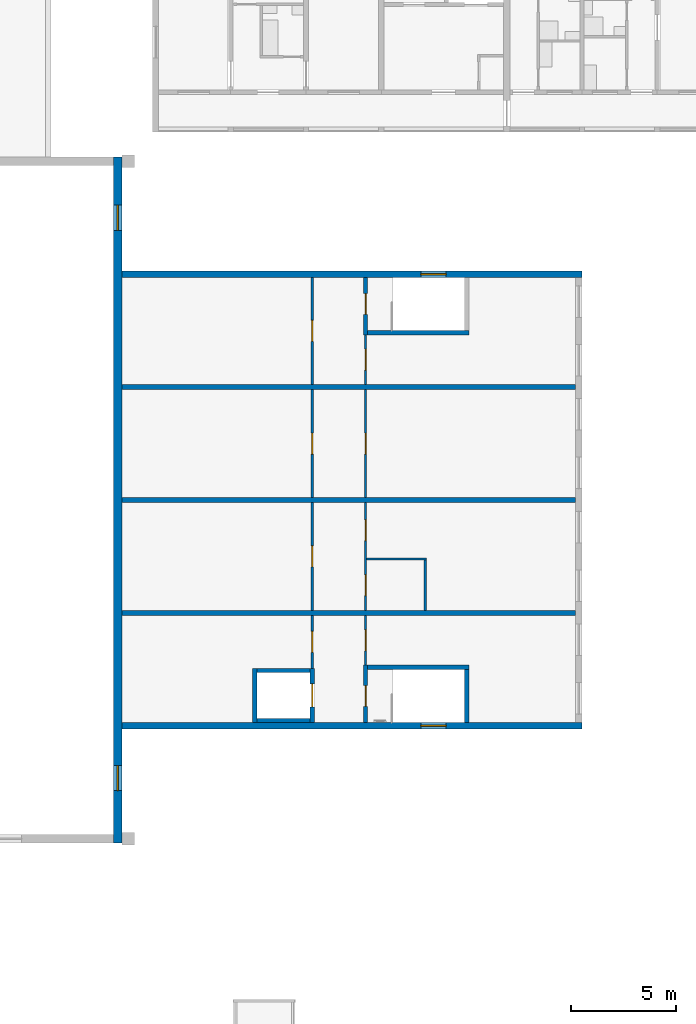
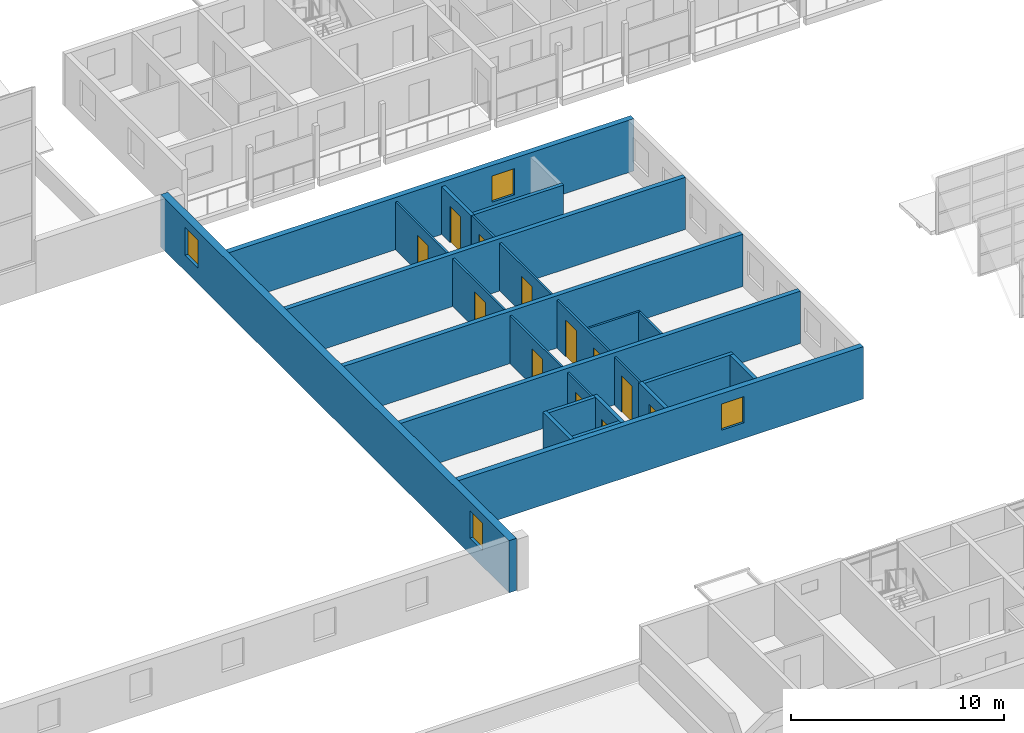
# One storey, part 70 of 122: 25 walls, 12 doors, 4 windows, 16 openings.
"""IFC4 building model written with IfcOpenShell, lengths in metres."""

from ifc_helpers import new_model, si_unit, direction, frame, frame_2d, origin, place, context, subcontext, project, spatial, rectangle, extrude, material, layer, layer_set, type_object, element, fill, save


model = new_model("IFC4")

# Units and contexts
model_context = context("Model", 3, precision=1e-05, world=origin(), true_north=direction((0.0, 1.0)))
body_context = subcontext(model_context, "Body", "Model", "MODEL_VIEW")
ifc_project = project(units=[si_unit("LENGTHUNIT", "METRE"), si_unit("AREAUNIT", "SQUARE_METRE"), si_unit("VOLUMEUNIT", "CUBIC_METRE"), si_unit("PLANEANGLEUNIT", "RADIAN"), si_unit("MASSUNIT", "GRAM", prefix="KILO")], contexts=[model_context])

# Site, building, storey
site_placement = place(None, origin())
site = spatial("IfcSite", under=ifc_project, at=site_placement, CompositionType="ELEMENT")
building_placement = place(site_placement, origin())
building = spatial("IfcBuilding", under=site, at=building_placement, Name="Ridgestep Commons", CompositionType="ELEMENT")
storey_placement = place(building_placement, frame((0.0, 0.0, 3.0)))
storey = spatial("IfcBuildingStorey", under=building, at=storey_placement, Name="L01", CompositionType="ELEMENT", Elevation=3.0)

# Walls
ifc_material_1 = material(Name="Precast concrete C40/50", Category="concrete")
ifc_layer_1 = layer(ifc_material_1, 0.25)
ifc_layer_set_1 = layer_set([ifc_layer_1], Name="Annex cross wall 250")
wall_type_1 = type_object("IfcWallType", Name="Annex cross wall 250", PredefinedType="SOLIDWALL", material=ifc_layer_set_1)
for number, where, z_axis, x_axis, name in (
    (1, (145.199951171875, 43.0, 0.0), (0.0, 0.0, 1.0), (1.0, 0.0, 0.0), "Annex cross wall 250"),
    (2, (145.199951171875, 48.39990234375, 0.0), (0.0, 0.0, 1.0), (1.0, 0.0, 0.0), "Annex cross wall 250"),
    (3, (145.199951171875, 53.800048828125, 0.0), (0.0, 0.0, 1.0), (1.0, 0.0, 0.0), "Annex cross wall 250"),
):
    element("IfcWall", number, at=place(storey_placement, frame(where, z_axis=z_axis, x_axis=x_axis)), inside=storey, type_object=wall_type_1, Name=name, PredefinedType="SOLIDWALL", context=body_context, shape_type="SweptSolid", body=[
        extrude(rectangle(XDim=21.699951171875, YDim=0.25, at=frame_2d((10.85009765625, 0.0))), origin(), (0.0, 0.0, 1.0), 3.0),
    ])

# Wall, opening, window
ifc_material_2 = material(Name="Precast concrete C40/50", Category="concrete")
ifc_layer_2 = layer(ifc_material_2, 0.300048828125)
ifc_layer_set_2 = layer_set([ifc_layer_2], Name="Annex wall 300")
wall_type_2 = type_object("IfcWallType", Name="Annex wall 300", PredefinedType="SOLIDWALL", material=ifc_layer_set_2)
wall_1_placement = place(storey_placement, frame((145.199951171875, 37.60009765625, 0.0), z_axis=(0.0, 0.0, 1.0), x_axis=(1.0, 0.0, 0.0)))
wall_1 = element("IfcWall", 4, at=wall_1_placement, inside=storey, type_object=wall_type_2, Name="Annex wall 300", PredefinedType="SOLIDWALL", context=body_context, shape_type="SweptSolid", body=[
    extrude(rectangle(XDim=22.0, YDim=0.300048828125, at=frame_2d((11.0, 0.0))), origin(), (0.0, 0.0, 1.0), 3.0),
])
opening_1_placement = place(wall_1_placement, frame((14.298095703125, 0.0, 0.89990234375)))
opening_1 = element("IfcOpeningElement", 5, at=opening_1_placement, cuts=wall_1, Name="Opening WK1", PredefinedType="OPENING", context=body_context, shape_type="SweptSolid", body=[
    extrude(rectangle(XDim=1.199951171875, YDim=1.5, at=frame_2d((0.60009765625, 0.75))), frame((0.0, 0.159912109375, 0.0), z_axis=(0.0, -1.0, 0.0), x_axis=(1.0, 0.0, 0.0)), (0.0, 0.0, 1.0), 0.320068359375),
])
ifc_material_3 = material(Name="Aluminium and glass", Category="aluminium")
window_type_1 = type_object("IfcWindowType", Name="Community window 1200 x 1500", PartitioningType="SINGLE_PANEL", PredefinedType="WINDOW", material=ifc_material_3)
window_1_placement = place(opening_1_placement, origin())
window_1 = element("IfcWindow", 6, at=window_1_placement, inside=storey, type_object=window_type_1, Name="Community window 1200 x 1500", OverallHeight=1.5, OverallWidth=1.199951171875, PartitioningType="SINGLE_PANEL", PredefinedType="WINDOW", context=body_context, shape_type="SweptSolid", body=[
    extrude(rectangle(XDim=1.199951171875, YDim=1.5, at=frame_2d((0.60009765625, 0.75))), frame((0.0, 0.030029296875, 0.0), z_axis=(0.0, -1.0, 0.0), x_axis=(1.0, 0.0, 0.0)), (0.0, 0.0, 1.0), 0.06005859375),
])
fill(opening_1, window_1)

wall_2_placement = place(storey_placement, frame((145.199951171875, 59.199951171875, 0.0), z_axis=(0.0, 0.0, 1.0), x_axis=(1.0, 0.0, 0.0)))
wall_2 = element("IfcWall", 7, at=wall_2_placement, inside=storey, type_object=wall_type_2, Name="Annex wall 300", PredefinedType="SOLIDWALL", context=body_context, shape_type="SweptSolid", body=[
    extrude(rectangle(XDim=22.0, YDim=0.300048828125, at=frame_2d((11.0, 0.0))), origin(), (0.0, 0.0, 1.0), 3.0),
])
opening_2_placement = place(wall_2_placement, frame((14.298095703125, 0.0, 0.89990234375)))
opening_2 = element("IfcOpeningElement", 8, at=opening_2_placement, cuts=wall_2, Name="Opening WK1", PredefinedType="OPENING", context=body_context, shape_type="SweptSolid", body=[
    extrude(rectangle(XDim=1.199951171875, YDim=1.5, at=frame_2d((0.60009765625, 0.75))), frame((0.0, 0.159912109375, 0.0), z_axis=(0.0, -1.0, 0.0), x_axis=(1.0, 0.0, 0.0)), (0.0, 0.0, 1.0), 0.320068359375),
])
window_2_placement = place(opening_2_placement, origin())
window_2 = element("IfcWindow", 9, at=window_2_placement, inside=storey, type_object=window_type_1, Name="Community window 1200 x 1500", OverallHeight=1.5, OverallWidth=1.199951171875, PartitioningType="SINGLE_PANEL", PredefinedType="WINDOW", context=body_context, shape_type="SweptSolid", body=[
    extrude(rectangle(XDim=1.199951171875, YDim=1.5, at=frame_2d((0.60009765625, 0.75))), frame((0.0, 0.030029296875, 0.0), z_axis=(0.0, -1.0, 0.0), x_axis=(1.0, 0.0, 0.0)), (0.0, 0.0, 1.0), 0.06005859375),
])
fill(opening_2, window_2)

# Wall, opening, door
ifc_material_4 = material(Name="Common brick 110 mm", Category="masonry")
ifc_layer_3 = layer(ifc_material_4, 0.110107421875)
ifc_layer_set_3 = layer_set([ifc_layer_3], Name="Community partition 110")
wall_type_3 = type_object("IfcWallType", Name="Community partition 110", PredefinedType="PARTITIONING", material=ifc_layer_set_3)
wall_3_placement = place(storey_placement, frame((154.300048828125, 40.35009765625, 0.0), z_axis=(0.0, 0.0, 1.0), x_axis=(0.0, 1.0, 0.0)))
wall_3 = element("IfcWall", 10, at=wall_3_placement, inside=storey, type_object=wall_type_3, Name="Community partition 110", PredefinedType="PARTITIONING", context=body_context, shape_type="SweptSolid", body=[
    extrude(rectangle(XDim=2.52490234375, YDim=0.110107421875, at=frame_2d((1.262451171875, 0.0))), origin(), (0.0, 0.0, 1.0), 2.75),
])
opening_3_placement = place(wall_3_placement, frame((0.762451171875, 0.0, 0.0)))
opening_3 = element("IfcOpeningElement", 11, at=opening_3_placement, cuts=wall_3, Name="Opening C085", PredefinedType="OPENING", context=body_context, shape_type="SweptSolid", body=[
    extrude(rectangle(XDim=1.0, YDim=2.10009765625, at=frame_2d((0.5, 1.050048828125))), frame((0.0, 0.06494140625, 0.0), z_axis=(0.0, -1.0, 0.0), x_axis=(1.0, 0.0, 0.0)), (0.0, 0.0, 1.0), 0.130126953125),
])
ifc_material_5 = material(Name="Timber and steel", Category="steel")
door_type_1 = type_object("IfcDoorType", Name="Community fire door 1000 x 2100", OperationType="SINGLE_SWING_LEFT", PredefinedType="DOOR", material=ifc_material_5)
door_1_placement = place(opening_3_placement, origin())
door_1 = element("IfcDoor", 12, at=door_1_placement, inside=storey, type_object=door_type_1, Name="Community fire door 1000 x 2100", OperationType="SINGLE_SWING_LEFT", OverallHeight=2.10009765625, OverallWidth=1.0, PredefinedType="DOOR", context=body_context, shape_type="SweptSolid", body=[
    extrude(rectangle(XDim=1.0, YDim=2.10009765625, at=frame_2d((0.5, 1.050048828125))), frame((0.0, 0.02490234375, 0.0), z_axis=(0.0, -1.0, 0.0), x_axis=(1.0, 0.0, 0.0)), (0.0, 0.0, 1.0), 0.050048828125),
])
fill(opening_3, door_1)

wall_4_placement = place(storey_placement, frame((154.300048828125, 43.125, 0.0), z_axis=(0.0, 0.0, 1.0), x_axis=(0.0, 1.0, 0.0)))
wall_4 = element("IfcWall", 13, at=wall_4_placement, inside=storey, type_object=wall_type_3, Name="Community partition 110", PredefinedType="PARTITIONING", context=body_context, shape_type="SweptSolid", body=[
    extrude(rectangle(XDim=5.14990234375, YDim=0.110107421875, at=frame_2d((2.574951171875, 0.0))), origin(), (0.0, 0.0, 1.0), 2.75),
])
opening_4_placement = place(wall_4_placement, frame((2.074951171875, 0.0, 0.0)))
opening_4 = element("IfcOpeningElement", 14, at=opening_4_placement, cuts=wall_4, Name="Opening C086", PredefinedType="OPENING", context=body_context, shape_type="SweptSolid", body=[
    extrude(rectangle(XDim=1.0, YDim=2.10009765625, at=frame_2d((0.5, 1.050048828125))), frame((0.0, 0.06494140625, 0.0), z_axis=(0.0, -1.0, 0.0), x_axis=(1.0, 0.0, 0.0)), (0.0, 0.0, 1.0), 0.130126953125),
])
door_2_placement = place(opening_4_placement, origin())
door_2 = element("IfcDoor", 15, at=door_2_placement, inside=storey, type_object=door_type_1, Name="Community fire door 1000 x 2100", OperationType="SINGLE_SWING_LEFT", OverallHeight=2.10009765625, OverallWidth=1.0, PredefinedType="DOOR", context=body_context, shape_type="SweptSolid", body=[
    extrude(rectangle(XDim=1.0, YDim=2.10009765625, at=frame_2d((0.5, 1.050048828125))), frame((0.0, 0.02490234375, 0.0), z_axis=(0.0, -1.0, 0.0), x_axis=(1.0, 0.0, 0.0)), (0.0, 0.0, 1.0), 0.050048828125),
])
fill(opening_4, door_2)

wall_5_placement = place(storey_placement, frame((154.300048828125, 48.52490234375, 0.0), z_axis=(0.0, 0.0, 1.0), x_axis=(0.0, 1.0, 0.0)))
wall_5 = element("IfcWall", 16, at=wall_5_placement, inside=storey, type_object=wall_type_3, Name="Community partition 110", PredefinedType="PARTITIONING", context=body_context, shape_type="SweptSolid", body=[
    extrude(rectangle(XDim=5.150146484375, YDim=0.110107421875, at=frame_2d((2.5751953125, 0.0))), origin(), (0.0, 0.0, 1.0), 2.75),
])
opening_5_placement = place(wall_5_placement, frame((2.074951171875, 0.0, 0.0)))
opening_5 = element("IfcOpeningElement", 17, at=opening_5_placement, cuts=wall_5, Name="Opening C087", PredefinedType="OPENING", context=body_context, shape_type="SweptSolid", body=[
    extrude(rectangle(XDim=1.0, YDim=2.10009765625, at=frame_2d((0.5, 1.050048828125))), frame((0.0, 0.06494140625, 0.0), z_axis=(0.0, -1.0, 0.0), x_axis=(1.0, 0.0, 0.0)), (0.0, 0.0, 1.0), 0.130126953125),
])
door_3_placement = place(opening_5_placement, origin())
door_3 = element("IfcDoor", 18, at=door_3_placement, inside=storey, type_object=door_type_1, Name="Community fire door 1000 x 2100", OperationType="SINGLE_SWING_LEFT", OverallHeight=2.10009765625, OverallWidth=1.0, PredefinedType="DOOR", context=body_context, shape_type="SweptSolid", body=[
    extrude(rectangle(XDim=1.0, YDim=2.10009765625, at=frame_2d((0.5, 1.050048828125))), frame((0.0, 0.02490234375, 0.0), z_axis=(0.0, -1.0, 0.0), x_axis=(1.0, 0.0, 0.0)), (0.0, 0.0, 1.0), 0.050048828125),
])
fill(opening_5, door_3)

wall_6_placement = place(storey_placement, frame((154.300048828125, 53.925048828125, 0.0), z_axis=(0.0, 0.0, 1.0), x_axis=(0.0, 1.0, 0.0)))
wall_6 = element("IfcWall", 19, at=wall_6_placement, inside=storey, type_object=wall_type_3, Name="Community partition 110", PredefinedType="PARTITIONING", context=body_context, shape_type="SweptSolid", body=[
    extrude(rectangle(XDim=5.125, YDim=0.110107421875, at=frame_2d((2.5625, 0.0))), origin(), (0.0, 0.0, 1.0), 2.75),
])
opening_6_placement = place(wall_6_placement, frame((2.0625, 0.0, 0.0)))
opening_6 = element("IfcOpeningElement", 20, at=opening_6_placement, cuts=wall_6, Name="Opening C088", PredefinedType="OPENING", context=body_context, shape_type="SweptSolid", body=[
    extrude(rectangle(XDim=1.0, YDim=2.10009765625, at=frame_2d((0.5, 1.050048828125))), frame((0.0, 0.06494140625, 0.0), z_axis=(0.0, -1.0, 0.0), x_axis=(1.0, 0.0, 0.0)), (0.0, 0.0, 1.0), 0.130126953125),
])
door_4_placement = place(opening_6_placement, origin())
door_4 = element("IfcDoor", 21, at=door_4_placement, inside=storey, type_object=door_type_1, Name="Community fire door 1000 x 2100", OperationType="SINGLE_SWING_RIGHT", OverallHeight=2.10009765625, OverallWidth=1.0, PredefinedType="DOOR", context=body_context, shape_type="SweptSolid", body=[
    extrude(rectangle(XDim=1.0, YDim=2.10009765625, at=frame_2d((0.5, 1.050048828125))), frame((0.0, 0.02490234375, 0.0), z_axis=(0.0, -1.0, 0.0), x_axis=(1.0, 0.0, 0.0)), (0.0, 0.0, 1.0), 0.050048828125),
])
fill(opening_6, door_4)

wall_7_placement = place(storey_placement, frame((156.85009765625, 40.5, 0.0), z_axis=(0.0, 0.0, 1.0), x_axis=(0.0, 1.0, 0.0)))
wall_7 = element("IfcWall", 22, at=wall_7_placement, inside=storey, type_object=wall_type_3, Name="Community partition 110", PredefinedType="PARTITIONING", context=body_context, shape_type="SweptSolid", body=[
    extrude(rectangle(XDim=2.375, YDim=0.110107421875, at=frame_2d((1.1875, 0.0))), origin(), (0.0, 0.0, 1.0), 2.75),
])
opening_7_placement = place(wall_7_placement, frame((0.6875, 0.0, 0.0)))
opening_7 = element("IfcOpeningElement", 23, at=opening_7_placement, cuts=wall_7, Name="Opening C089", PredefinedType="OPENING", context=body_context, shape_type="SweptSolid", body=[
    extrude(rectangle(XDim=1.0, YDim=2.10009765625, at=frame_2d((0.5, 1.050048828125))), frame((0.0, 0.06494140625, 0.0), z_axis=(0.0, -1.0, 0.0), x_axis=(1.0, 0.0, 0.0)), (0.0, 0.0, 1.0), 0.130126953125),
])
door_5_placement = place(opening_7_placement, origin())
door_5 = element("IfcDoor", 24, at=door_5_placement, inside=storey, type_object=door_type_1, Name="Community fire door 1000 x 2100", OperationType="SINGLE_SWING_RIGHT", OverallHeight=2.10009765625, OverallWidth=1.0, PredefinedType="DOOR", context=body_context, shape_type="SweptSolid", body=[
    extrude(rectangle(XDim=1.0, YDim=2.10009765625, at=frame_2d((0.5, 1.050048828125))), frame((0.0, 0.02490234375, 0.0), z_axis=(0.0, -1.0, 0.0), x_axis=(1.0, 0.0, 0.0)), (0.0, 0.0, 1.0), 0.050048828125),
])
fill(opening_7, door_5)

# Wall, openings, doors
wall_8_placement = place(storey_placement, frame((156.85009765625, 43.125, 0.0), z_axis=(0.0, 0.0, 1.0), x_axis=(0.0, 1.0, 0.0)))
wall_8 = element("IfcWall", 25, at=wall_8_placement, inside=storey, type_object=wall_type_3, Name="Community partition 110", PredefinedType="PARTITIONING", context=body_context, shape_type="SweptSolid", body=[
    extrude(rectangle(XDim=5.14990234375, YDim=0.110107421875, at=frame_2d((2.574951171875, 0.0))), origin(), (0.0, 0.0, 1.0), 2.75),
])
opening_8_placement = place(wall_8_placement, frame((0.697509765625, 0.0, 0.0)))
opening_8 = element("IfcOpeningElement", 26, at=opening_8_placement, cuts=wall_8, Name="Opening C090", PredefinedType="OPENING", context=body_context, shape_type="SweptSolid", body=[
    extrude(rectangle(XDim=1.0, YDim=2.10009765625, at=frame_2d((0.5, 1.050048828125))), frame((0.0, 0.06494140625, 0.0), z_axis=(0.0, -1.0, 0.0), x_axis=(1.0, 0.0, 0.0)), (0.0, 0.0, 1.0), 0.130126953125),
])
opening_9_placement = place(wall_8_placement, frame((3.327392578125, 0.0, 0.0)))
opening_9 = element("IfcOpeningElement", 27, at=opening_9_placement, cuts=wall_8, Name="Opening C091", PredefinedType="OPENING", context=body_context, shape_type="SweptSolid", body=[
    extrude(rectangle(XDim=1.0, YDim=2.10009765625, at=frame_2d((0.5, 1.050048828125))), frame((0.0, 0.06494140625, 0.0), z_axis=(0.0, -1.0, 0.0), x_axis=(1.0, 0.0, 0.0)), (0.0, 0.0, 1.0), 0.130126953125),
])
door_6_placement = place(opening_8_placement, origin())
door_6 = element("IfcDoor", 28, at=door_6_placement, inside=storey, type_object=door_type_1, Name="Community fire door 1000 x 2100", OperationType="SINGLE_SWING_LEFT", OverallHeight=2.10009765625, OverallWidth=1.0, PredefinedType="DOOR", context=body_context, shape_type="SweptSolid", body=[
    extrude(rectangle(XDim=1.0, YDim=2.10009765625, at=frame_2d((0.5, 1.050048828125))), frame((0.0, 0.02490234375, 0.0), z_axis=(0.0, -1.0, 0.0), x_axis=(1.0, 0.0, 0.0)), (0.0, 0.0, 1.0), 0.050048828125),
])
fill(opening_8, door_6)
door_7_placement = place(opening_9_placement, origin())
door_7 = element("IfcDoor", 29, at=door_7_placement, inside=storey, type_object=door_type_1, Name="Community fire door 1000 x 2100", OperationType="SINGLE_SWING_RIGHT", OverallHeight=2.10009765625, OverallWidth=1.0, PredefinedType="DOOR", context=body_context, shape_type="SweptSolid", body=[
    extrude(rectangle(XDim=1.0, YDim=2.10009765625, at=frame_2d((0.5, 1.050048828125))), frame((0.0, 0.02490234375, 0.0), z_axis=(0.0, -1.0, 0.0), x_axis=(1.0, 0.0, 0.0)), (0.0, 0.0, 1.0), 0.050048828125),
])
fill(opening_9, door_7)

# Wall, opening, door
wall_9_placement = place(storey_placement, frame((156.85009765625, 48.52490234375, 0.0), z_axis=(0.0, 0.0, 1.0), x_axis=(0.0, 1.0, 0.0)))
wall_9 = element("IfcWall", 30, at=wall_9_placement, inside=storey, type_object=wall_type_3, Name="Community partition 110", PredefinedType="PARTITIONING", context=body_context, shape_type="SweptSolid", body=[
    extrude(rectangle(XDim=5.150146484375, YDim=0.110107421875, at=frame_2d((2.5751953125, 0.0))), origin(), (0.0, 0.0, 1.0), 2.75),
])
opening_10_placement = place(wall_9_placement, frame((2.074951171875, 0.0, 0.0)))
opening_10 = element("IfcOpeningElement", 31, at=opening_10_placement, cuts=wall_9, Name="Opening C092", PredefinedType="OPENING", context=body_context, shape_type="SweptSolid", body=[
    extrude(rectangle(XDim=1.0, YDim=2.10009765625, at=frame_2d((0.5, 1.050048828125))), frame((0.0, 0.06494140625, 0.0), z_axis=(0.0, -1.0, 0.0), x_axis=(1.0, 0.0, 0.0)), (0.0, 0.0, 1.0), 0.130126953125),
])
door_8_placement = place(opening_10_placement, origin())
door_8 = element("IfcDoor", 32, at=door_8_placement, inside=storey, type_object=door_type_1, Name="Community fire door 1000 x 2100", OperationType="SINGLE_SWING_LEFT", OverallHeight=2.10009765625, OverallWidth=1.0, PredefinedType="DOOR", context=body_context, shape_type="SweptSolid", body=[
    extrude(rectangle(XDim=1.0, YDim=2.10009765625, at=frame_2d((0.5, 1.050048828125))), frame((0.0, 0.02490234375, 0.0), z_axis=(0.0, -1.0, 0.0), x_axis=(1.0, 0.0, 0.0)), (0.0, 0.0, 1.0), 0.050048828125),
])
fill(opening_10, door_8)

wall_10_placement = place(storey_placement, frame((156.85009765625, 53.925048828125, 0.0), z_axis=(0.0, 0.0, 1.0), x_axis=(0.0, 1.0, 0.0)))
wall_10 = element("IfcWall", 33, at=wall_10_placement, inside=storey, type_object=wall_type_3, Name="Community partition 110", PredefinedType="PARTITIONING", context=body_context, shape_type="SweptSolid", body=[
    extrude(rectangle(XDim=2.375, YDim=0.110107421875, at=frame_2d((1.1875, 0.0))), origin(), (0.0, 0.0, 1.0), 2.75),
])
opening_11_placement = place(wall_10_placement, frame((0.6875, 0.0, 0.0)))
opening_11 = element("IfcOpeningElement", 34, at=opening_11_placement, cuts=wall_10, Name="Opening C093", PredefinedType="OPENING", context=body_context, shape_type="SweptSolid", body=[
    extrude(rectangle(XDim=1.0, YDim=2.10009765625, at=frame_2d((0.5, 1.050048828125))), frame((0.0, 0.06494140625, 0.0), z_axis=(0.0, -1.0, 0.0), x_axis=(1.0, 0.0, 0.0)), (0.0, 0.0, 1.0), 0.130126953125),
])
door_9_placement = place(opening_11_placement, origin())
door_9 = element("IfcDoor", 35, at=door_9_placement, inside=storey, type_object=door_type_1, Name="Community fire door 1000 x 2100", OperationType="SINGLE_SWING_RIGHT", OverallHeight=2.10009765625, OverallWidth=1.0, PredefinedType="DOOR", context=body_context, shape_type="SweptSolid", body=[
    extrude(rectangle(XDim=1.0, YDim=2.10009765625, at=frame_2d((0.5, 1.050048828125))), frame((0.0, 0.02490234375, 0.0), z_axis=(0.0, -1.0, 0.0), x_axis=(1.0, 0.0, 0.0)), (0.0, 0.0, 1.0), 0.050048828125),
])
fill(opening_11, door_9)

# Walls
wall_11_placement = place(storey_placement, frame((156.905029296875, 45.574951171875, 0.0), z_axis=(0.0, 0.0, 1.0), x_axis=(1.0, 0.0, 0.0)))
element("IfcWall", 36, at=wall_11_placement, inside=storey, type_object=wall_type_3, Name="Community partition 110", PredefinedType="PARTITIONING", context=body_context, shape_type="SweptSolid", body=[
    extrude(rectangle(XDim=2.849853515625, YDim=0.110107421875, at=frame_2d((1.4248046875, 0.0))), origin(), (0.0, 0.0, 1.0), 2.75),
])
wall_12_placement = place(storey_placement, frame((159.699951171875, 43.125, 0.0), z_axis=(0.0, 0.0, 1.0), x_axis=(0.0, 1.0, 0.0)))
element("IfcWall", 37, at=wall_12_placement, inside=storey, type_object=wall_type_3, Name="Community partition 110", PredefinedType="PARTITIONING", context=body_context, shape_type="SweptSolid", body=[
    extrude(rectangle(XDim=2.39501953125, YDim=0.110107421875, at=frame_2d((1.197509765625, 0.0))), origin(), (0.0, 0.0, 1.0), 2.75),
])
ifc_material_6 = material(Name="Concrete C30/37", Category="concrete")
ifc_layer_4 = layer(ifc_material_6, 0.199951171875)
ifc_layer_set_4 = layer_set([ifc_layer_4], Name="Community shaft wall 200")
wall_type_4 = type_object("IfcWallType", Name="Community shaft wall 200", PredefinedType="SOLIDWALL", material=ifc_layer_set_4)
for number, where, z_axis, x_axis, name in (
    (38, (151.64990234375, 40.25, 0.0), (0.0, 0.0, 1.0), (1.0, 0.0, 0.0), "Community shaft wall 200"),
    (39, (151.64990234375, 37.85009765625, 0.0), (0.0, 0.0, 1.0), (1.0, 0.0, 0.0), "Community shaft wall 200"),
):
    element("IfcWall", number, at=place(storey_placement, frame(where, z_axis=z_axis, x_axis=x_axis)), inside=storey, type_object=wall_type_4, Name=name, PredefinedType="SOLIDWALL", context=body_context, shape_type="SweptSolid", body=[
        extrude(rectangle(XDim=2.550048828125, YDim=0.199951171875, at=frame_2d((1.27490234375, 0.0))), origin(), (0.0, 0.0, 1.0), 3.0),
    ])
wall_13_placement = place(storey_placement, frame((151.550048828125, 37.75, 0.0), z_axis=(0.0, 0.0, 1.0), x_axis=(0.0, 1.0, 0.0)))
element("IfcWall", 40, at=wall_13_placement, inside=storey, type_object=wall_type_4, Name="Community shaft wall 200", PredefinedType="SOLIDWALL", context=body_context, shape_type="SweptSolid", body=[
    extrude(rectangle(XDim=2.60009765625, YDim=0.199951171875, at=frame_2d((1.300048828125, 0.0))), origin(), (0.0, 0.0, 1.0), 3.0),
])

# Wall, opening, door
wall_14_placement = place(storey_placement, frame((154.300048828125, 37.75, 0.0), z_axis=(0.0, 0.0, 1.0), x_axis=(0.0, 1.0, 0.0)))
wall_14 = element("IfcWall", 41, at=wall_14_placement, inside=storey, type_object=wall_type_4, Name="Community shaft wall 200", PredefinedType="SOLIDWALL", context=body_context, shape_type="SweptSolid", body=[
    extrude(rectangle(XDim=2.60009765625, YDim=0.199951171875, at=frame_2d((1.300048828125, 0.0))), origin(), (0.0, 0.0, 1.0), 3.0),
])
opening_12_placement = place(wall_14_placement, frame((0.75, 0.0, 0.0)))
opening_12 = element("IfcOpeningElement", 42, at=opening_12_placement, cuts=wall_14, Name="Opening LC2/01/1", PredefinedType="OPENING", context=body_context, shape_type="SweptSolid", body=[
    extrude(rectangle(XDim=1.10009765625, YDim=2.10009765625, at=frame_2d((0.550048828125, 1.050048828125))), frame((0.0, 0.10986328125, 0.0), z_axis=(0.0, -1.0, 0.0), x_axis=(1.0, 0.0, 0.0)), (0.0, 0.0, 1.0), 0.219970703125),
])
ifc_material_7 = material(Name="Stainless steel", Category="steel")
door_type_2 = type_object("IfcDoorType", Name="Lift landing door 1100 x 2100 FD60", OperationType="DOUBLE_DOOR_SLIDING", PredefinedType="DOOR", material=ifc_material_7)
door_10_placement = place(opening_12_placement, origin())
door_10 = element("IfcDoor", 43, at=door_10_placement, inside=storey, type_object=door_type_2, Name="Lift landing door", OperationType="SLIDING_TO_LEFT", OverallHeight=2.10009765625, OverallWidth=1.10009765625, PredefinedType="DOOR", context=body_context, shape_type="SweptSolid", body=[
    extrude(rectangle(XDim=1.10009765625, YDim=2.10009765625, at=frame_2d((0.550048828125, 1.050048828125))), frame((0.0, 0.02490234375, 0.0), z_axis=(0.0, -1.0, 0.0), x_axis=(1.0, 0.0, 0.0)), (0.0, 0.0, 1.0), 0.050048828125),
])
fill(opening_12, door_10)

ifc_material_8 = material(Name="Concrete C30/37", Category="concrete")
ifc_layer_5 = layer(ifc_material_8, 0.199951171875)
ifc_layer_set_5 = layer_set([ifc_layer_5], Name="Community stair wall 200")
wall_type_5 = type_object("IfcWallType", Name="Community stair wall 200", PredefinedType="SOLIDWALL", material=ifc_layer_set_5)
wall_15_placement = place(storey_placement, frame((156.85009765625, 37.75, 0.0), z_axis=(0.0, 0.0, 1.0), x_axis=(0.0, 1.0, 0.0)))
wall_15 = element("IfcWall", 44, at=wall_15_placement, inside=storey, type_object=wall_type_5, Name="Community stair wall 200", PredefinedType="SOLIDWALL", context=body_context, shape_type="SweptSolid", body=[
    extrude(rectangle(XDim=2.75, YDim=0.199951171875, at=frame_2d((1.375, 0.0))), origin(), (0.0, 0.0, 1.0), 2.75),
])
opening_13_placement = place(wall_15_placement, frame((0.77490234375, 0.0, 0.0)))
opening_13 = element("IfcOpeningElement", 45, at=opening_13_placement, cuts=wall_15, Name="Opening C094", PredefinedType="OPENING", context=body_context, shape_type="SweptSolid", body=[
    extrude(rectangle(XDim=1.0, YDim=2.10009765625, at=frame_2d((0.5, 1.050048828125))), frame((0.0, 0.10986328125, 0.0), z_axis=(0.0, -1.0, 0.0), x_axis=(1.0, 0.0, 0.0)), (0.0, 0.0, 1.0), 0.219970703125),
])
door_11_placement = place(opening_13_placement, origin())
door_11 = element("IfcDoor", 46, at=door_11_placement, inside=storey, type_object=door_type_1, Name="Community fire door 1000 x 2100", OperationType="SINGLE_SWING_LEFT", OverallHeight=2.10009765625, OverallWidth=1.0, PredefinedType="DOOR", context=body_context, shape_type="SweptSolid", body=[
    extrude(rectangle(XDim=1.0, YDim=2.10009765625, at=frame_2d((0.5, 1.050048828125))), frame((0.0, 0.02490234375, 0.0), z_axis=(0.0, -1.0, 0.0), x_axis=(1.0, 0.0, 0.0)), (0.0, 0.0, 1.0), 0.050048828125),
])
fill(opening_13, door_11)

wall_16_placement = place(storey_placement, frame((156.85009765625, 56.300048828125, 0.0), z_axis=(0.0, 0.0, 1.0), x_axis=(0.0, 1.0, 0.0)))
wall_16 = element("IfcWall", 47, at=wall_16_placement, inside=storey, type_object=wall_type_5, Name="Community stair wall 200", PredefinedType="SOLIDWALL", context=body_context, shape_type="SweptSolid", body=[
    extrude(rectangle(XDim=2.75, YDim=0.199951171875, at=frame_2d((1.375, 0.0))), origin(), (0.0, 0.0, 1.0), 2.75),
])
opening_14_placement = place(wall_16_placement, frame((0.97509765625, 0.0, 0.0)))
opening_14 = element("IfcOpeningElement", 48, at=opening_14_placement, cuts=wall_16, Name="Opening C095", PredefinedType="OPENING", context=body_context, shape_type="SweptSolid", body=[
    extrude(rectangle(XDim=1.0, YDim=2.10009765625, at=frame_2d((0.5, 1.050048828125))), frame((0.0, 0.10986328125, 0.0), z_axis=(0.0, -1.0, 0.0), x_axis=(1.0, 0.0, 0.0)), (0.0, 0.0, 1.0), 0.219970703125),
])
door_12_placement = place(opening_14_placement, origin())
door_12 = element("IfcDoor", 49, at=door_12_placement, inside=storey, type_object=door_type_1, Name="Community fire door 1000 x 2100", OperationType="SINGLE_SWING_RIGHT", OverallHeight=2.10009765625, OverallWidth=1.0, PredefinedType="DOOR", context=body_context, shape_type="SweptSolid", body=[
    extrude(rectangle(XDim=1.0, YDim=2.10009765625, at=frame_2d((0.5, 1.050048828125))), frame((0.0, 0.02490234375, 0.0), z_axis=(0.0, -1.0, 0.0), x_axis=(1.0, 0.0, 0.0)), (0.0, 0.0, 1.0), 0.050048828125),
])
fill(opening_14, door_12)

# Walls
wall_17_placement = place(storey_placement, frame((156.949951171875, 40.39990234375, 0.0), z_axis=(0.0, 0.0, 1.0), x_axis=(1.0, 0.0, 0.0)))
element("IfcWall", 50, at=wall_17_placement, inside=storey, type_object=wall_type_5, Name="Community stair wall 200", PredefinedType="SOLIDWALL", context=body_context, shape_type="SweptSolid", body=[
    extrude(rectangle(XDim=4.840087890625, YDim=0.199951171875, at=frame_2d((2.419921875, 0.0))), origin(), (0.0, 0.0, 1.0), 2.75),
])
wall_18_placement = place(storey_placement, frame((161.68994140625, 37.75, 0.0), z_axis=(0.0, 0.0, 1.0), x_axis=(0.0, 1.0, 0.0)))
element("IfcWall", 51, at=wall_18_placement, inside=storey, type_object=wall_type_5, Name="Community stair wall 200", PredefinedType="SOLIDWALL", context=body_context, shape_type="SweptSolid", body=[
    extrude(rectangle(XDim=2.550048828125, YDim=0.199951171875, at=frame_2d((1.27490234375, 0.0))), origin(), (0.0, 0.0, 1.0), 2.75),
])
wall_19_placement = place(storey_placement, frame((156.949951171875, 56.39990234375, 0.0), z_axis=(0.0, 0.0, 1.0), x_axis=(1.0, 0.0, 0.0)))
element("IfcWall", 52, at=wall_19_placement, inside=storey, type_object=wall_type_5, Name="Community stair wall 200", PredefinedType="SOLIDWALL", context=body_context, shape_type="SweptSolid", body=[
    extrude(rectangle(XDim=4.840087890625, YDim=0.199951171875, at=frame_2d((2.419921875, 0.0))), origin(), (0.0, 0.0, 1.0), 2.75),
])

# Wall, openings, windows
ifc_material_9 = material(Name="Precast concrete C40/50", Category="concrete")
ifc_layer_6 = layer(ifc_material_9, 0.39990234375)
ifc_layer_set_6 = layer_set([ifc_layer_6], Name="Hall wall 400")
wall_type_6 = type_object("IfcWallType", Name="Hall wall 400", PredefinedType="SOLIDWALL", material=ifc_layer_set_6)
wall_20_placement = place(storey_placement, frame((145.0, 32.0, 0.0), z_axis=(0.0, 0.0, 1.0), x_axis=(0.0, 1.0, 0.0)))
wall_20 = element("IfcWall", 53, at=wall_20_placement, inside=storey, type_object=wall_type_6, Name="Hall wall 400", PredefinedType="SOLIDWALL", context=body_context, shape_type="SweptSolid", body=[
    extrude(rectangle(XDim=32.800048828125, YDim=0.39990234375, at=frame_2d((16.39990234375, 0.0))), origin(), (0.0, 0.0, 1.0), 3.0),
])
opening_15_placement = place(wall_20_placement, frame((2.5, 0.0, 0.89990234375)))
opening_15 = element("IfcOpeningElement", 54, at=opening_15_placement, cuts=wall_20, Name="Opening WK6", PredefinedType="OPENING", context=body_context, shape_type="SweptSolid", body=[
    extrude(rectangle(XDim=1.199951171875, YDim=1.60009765625, at=frame_2d((0.60009765625, 0.800048828125))), frame((0.0, 0.2099609375, 0.0), z_axis=(0.0, -1.0, 0.0), x_axis=(1.0, 0.0, 0.0)), (0.0, 0.0, 1.0), 0.419921875),
])
opening_16_placement = place(wall_20_placement, frame((29.300048828125, 0.0, 0.89990234375)))
opening_16 = element("IfcOpeningElement", 55, at=opening_16_placement, cuts=wall_20, Name="Opening WK6", PredefinedType="OPENING", context=body_context, shape_type="SweptSolid", body=[
    extrude(rectangle(XDim=1.199951171875, YDim=1.60009765625, at=frame_2d((0.60009765625, 0.800048828125))), frame((0.0, 0.2099609375, 0.0), z_axis=(0.0, -1.0, 0.0), x_axis=(1.0, 0.0, 0.0)), (0.0, 0.0, 1.0), 0.419921875),
])
ifc_material_10 = material(Name="Aluminium and glass", Category="aluminium")
window_type_2 = type_object("IfcWindowType", Name="Community high window 1200 x 1600", PartitioningType="SINGLE_PANEL", PredefinedType="WINDOW", material=ifc_material_10)
window_3_placement = place(opening_15_placement, origin())
window_3 = element("IfcWindow", 56, at=window_3_placement, inside=storey, type_object=window_type_2, Name="Community high window 1200 x 1600", OverallHeight=1.60009765625, OverallWidth=1.199951171875, PartitioningType="SINGLE_PANEL", PredefinedType="WINDOW", context=body_context, shape_type="SweptSolid", body=[
    extrude(rectangle(XDim=1.199951171875, YDim=1.60009765625, at=frame_2d((0.60009765625, 0.800048828125))), frame((0.0, 0.030029296875, 0.0), z_axis=(0.0, -1.0, 0.0), x_axis=(1.0, 0.0, 0.0)), (0.0, 0.0, 1.0), 0.06005859375),
])
fill(opening_15, window_3)
window_4_placement = place(opening_16_placement, origin())
window_4 = element("IfcWindow", 57, at=window_4_placement, inside=storey, type_object=window_type_2, Name="Community high window 1200 x 1600", OverallHeight=1.60009765625, OverallWidth=1.199951171875, PartitioningType="SINGLE_PANEL", PredefinedType="WINDOW", context=body_context, shape_type="SweptSolid", body=[
    extrude(rectangle(XDim=1.199951171875, YDim=1.60009765625, at=frame_2d((0.60009765625, 0.800048828125))), frame((0.0, 0.030029296875, 0.0), z_axis=(0.0, -1.0, 0.0), x_axis=(1.0, 0.0, 0.0)), (0.0, 0.0, 1.0), 0.06005859375),
])
fill(opening_16, window_4)

save(model, "model.ifc")
